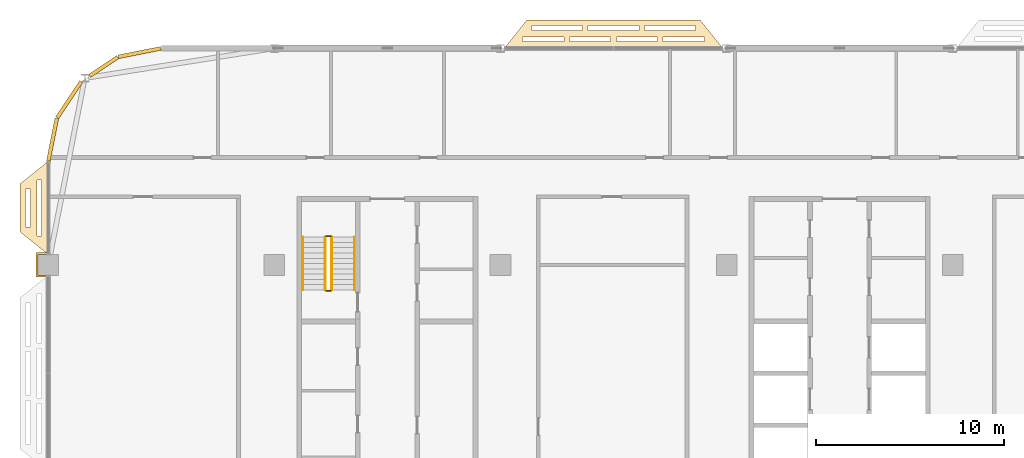
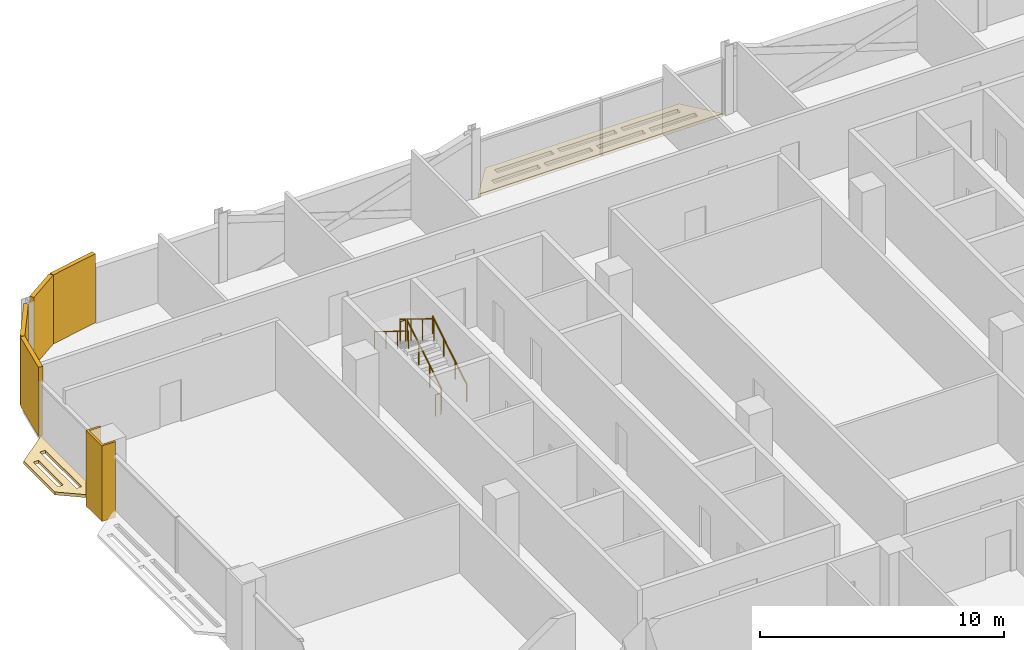
# One storey, part 26 of 29: 7 coverings, 6 railings.
"""IFC4 building model written with IfcOpenShell, lengths in metres."""

from ifc_helpers import new_model, si_unit, direction, frame, origin, origin_2d, place, context, subcontext, project, spatial, polyline, rectangle, circle, outline, extrude, material, layer, layer_set, type_object, element, save


model = new_model("IFC4")

# Units and contexts
model_context = context("Model", 3, precision=1e-05, world=origin(), true_north=direction((0.0, 1.0)))
body_context = subcontext(model_context, "Body", "Model", "MODEL_VIEW")
ifc_project = project(units=[si_unit("LENGTHUNIT", "METRE"), si_unit("AREAUNIT", "SQUARE_METRE"), si_unit("VOLUMEUNIT", "CUBIC_METRE"), si_unit("PLANEANGLEUNIT", "RADIAN"), si_unit("MASSUNIT", "GRAM", prefix="KILO")], contexts=[model_context])

# Site, building, storey
site_placement = place(None, origin())
site = spatial("IfcSite", under=ifc_project, at=site_placement, CompositionType="ELEMENT")
building_placement = place(site_placement, origin())
building = spatial("IfcBuilding", under=site, at=building_placement, Name="Mahtab Terrace Research Tower", CompositionType="ELEMENT")
storey_placement = place(building_placement, frame((0.0, 0.0, 197.699951171875)))
storey = spatial("IfcBuildingStorey", under=building, at=storey_placement, Name="L47", CompositionType="ELEMENT", Elevation=197.699951171875)

# Coverings
ifc_material_1 = material(Name="Black aluminium cladding panel", Category="aluminium")
ifc_layer_1 = layer(ifc_material_1, 0.199951171875)
ifc_layer_set_1 = layer_set([ifc_layer_1], Name="Black metal corner cladding 200")
covering_type_1 = type_object("IfcCoveringType", Name="Black metal corner cladding 200", PredefinedType="CLADDING", material=ifc_layer_set_1)
covering_1_placement = place(storey_placement, frame((-37.14794921875, 22.771484375, 0.0), z_axis=(0.0, 0.0, 1.0), x_axis=(-0.980760981187, -0.195212442692, 0.0)))
element("IfcCovering", 1, at=covering_1_placement, inside=storey, type_object=covering_type_1, Name="Corner cladding L47 11", PredefinedType="CLADDING", context=body_context, shape_type="SweptSolid", body=[
    extrude(rectangle(XDim=2.30126953125, YDim=0.199951171875, at=origin_2d()), origin(), (0.0, 0.0, 1.0), 3.4599609375),
])
covering_2_placement = place(storey_placement, frame((-39.059814453125, 22.032958984375, 0.0), z_axis=(0.0, 0.0, 1.0), x_axis=(-0.831655794326, -0.555291490808, 0.0)))
element("IfcCovering", 2, at=covering_2_placement, inside=storey, type_object=covering_type_1, Name="Corner cladding L47 12", PredefinedType="CLADDING", context=body_context, shape_type="SweptSolid", body=[
    extrude(rectangle(XDim=1.797119140625, YDim=0.199951171875, at=origin_2d()), origin(), (0.0, 0.0, 1.0), 3.4599609375),
])
for number, where, z_axis, x_axis, name in (
    (3, (-40.89306640625, 20.26953125, 0.0), (0.0, 0.0, 1.0), (-0.555291490808, -0.831655794326, 0.0), "Corner cladding L47 13"),
    (4, (-41.771484375, 18.14794921875, 0.0), (0.0, 0.0, 1.0), (-0.195212442692, -0.980760981187, 0.0), "Corner cladding L47 14"),
):
    element("IfcCovering", number, at=place(storey_placement, frame(where, z_axis=z_axis, x_axis=x_axis)), inside=storey, type_object=covering_type_1, Name=name, PredefinedType="CLADDING", context=body_context, shape_type="SweptSolid", body=[
        extrude(rectangle(XDim=2.30126953125, YDim=0.199951171875, at=origin_2d()), origin(), (0.0, 0.0, 1.0), 3.4599609375),
    ])
ifc_material_2 = material(Name="Dark anodised aluminium cladding", Category="aluminium")
ifc_layer_2 = layer(ifc_material_2, 0.10009765625)
ifc_layer_set_2 = layer_set([ifc_layer_2], Name="Column casing 100")
covering_type_2 = type_object("IfcCoveringType", Name="Column casing 100", PredefinedType="CLADDING", material=ifc_layer_set_2)
covering_3_placement = place(storey_placement, frame((0.0, 0.0, -0.33984375)))
element("IfcCovering", 5, at=covering_3_placement, inside=storey, type_object=covering_type_2, Name="Column casing RC-1C L47", PredefinedType="CLADDING", context=body_context, shape_type="SweptSolid", body=[
    extrude(outline(polyline([(-42.64990234375, 12.14990234375), (-42.0, 12.14990234375), (-42.0, 12.050048828125), (-42.550048828125, 12.050048828125), (-42.550048828125, 10.949951171875), (-42.0, 10.949951171875), (-42.0, 10.85009765625), (-42.64990234375, 10.85009765625), (-42.64990234375, 12.14990234375)])), origin(), (0.0, 0.0, 1.0), 3.7998046875),
])
ifc_material_3 = material(Name="Black anodised aluminium", Category="aluminium")
ifc_layer_3 = layer(ifc_material_3, 0.14990234375)
ifc_layer_set_3 = layer_set([ifc_layer_3], Name="Horizontal sunshade band")
covering_type_3 = type_object("IfcCoveringType", Name="Horizontal sunshade band", PredefinedType="CLADDING", material=ifc_layer_set_3)
covering_4_placement = place(storey_placement, frame((0.0, 0.0, -0.14990234375)))
element("IfcCovering", 6, at=covering_4_placement, inside=storey, type_object=covering_type_3, Name="Sunshade band L47 8", PredefinedType="CLADDING", context=body_context, shape_type="SweptSolid", body=[
    extrude(outline(polyline([(-6.199951171875, 23.0), (-17.800048828125, 23.0), (-16.60009765625, 24.5), (-7.39990234375, 24.5), (-6.199951171875, 23.0)]), holes=[polyline([(-7.179931640625, 23.35009765625), (-9.364990234375, 23.35009765625), (-9.364990234375, 23.60009765625), (-7.179931640625, 23.60009765625), (-7.179931640625, 23.35009765625)]), polyline([(-9.6650390625, 23.35009765625), (-11.85009765625, 23.35009765625), (-11.85009765625, 23.60009765625), (-9.6650390625, 23.60009765625), (-9.6650390625, 23.35009765625)]), polyline([(-12.14990234375, 23.35009765625), (-14.3349609375, 23.35009765625), (-14.3349609375, 23.60009765625), (-12.14990234375, 23.60009765625), (-12.14990234375, 23.35009765625)]), polyline([(-14.635009765625, 23.35009765625), (-16.820068359375, 23.35009765625), (-16.820068359375, 23.60009765625), (-14.635009765625, 23.60009765625), (-14.635009765625, 23.35009765625)]), polyline([(-7.659912109375, 23.949951171875), (-10.35302734375, 23.949951171875), (-10.35302734375, 24.199951171875), (-7.659912109375, 24.199951171875), (-7.659912109375, 23.949951171875)]), polyline([(-10.653076171875, 23.949951171875), (-13.346923828125, 23.949951171875), (-13.346923828125, 24.199951171875), (-10.653076171875, 24.199951171875), (-10.653076171875, 23.949951171875)]), polyline([(-13.64697265625, 23.949951171875), (-16.340087890625, 23.949951171875), (-16.340087890625, 24.199951171875), (-13.64697265625, 24.199951171875), (-13.64697265625, 23.949951171875)])]), origin(), (0.0, 0.0, 1.0), 0.14990234375),
])
covering_5_placement = place(storey_placement, frame((0.0, 0.0, -0.14990234375)))
element("IfcCovering", 7, at=covering_5_placement, inside=storey, type_object=covering_type_3, Name="Sunshade band L47 15", PredefinedType="CLADDING", context=body_context, shape_type="SweptSolid", body=[
    extrude(outline(polyline([(-42.0, 17.0), (-42.0, 12.050048828125), (-43.5, 13.25), (-43.5, 15.800048828125), (-42.0, 17.0)]), holes=[polyline([(-42.35009765625, 16.02001953125), (-42.35009765625, 13.030029296875), (-42.60009765625, 13.030029296875), (-42.60009765625, 16.02001953125), (-42.35009765625, 16.02001953125)]), polyline([(-42.949951171875, 15.5400390625), (-42.949951171875, 13.510009765625), (-43.199951171875, 13.510009765625), (-43.199951171875, 15.5400390625), (-42.949951171875, 15.5400390625)])]), origin(), (0.0, 0.0, 1.0), 0.14990234375),
])

# Railings
ifc_material_4 = material(Name="Stainless steel AISI 304", Category="steel")
railing_type_1 = type_object("IfcRailingType", Name="Stair guard 1100", PredefinedType="GUARDRAIL", material=ifc_material_4)
railing_1_placement = place(storey_placement, frame((-26.949951171875, 10.175048828125, 0.1728515625)))
element("IfcRailing", 8, at=railing_1_placement, inside=storey, type_object=railing_type_1, Name="L47 ST1 stair guard 1", PredefinedType="GUARDRAIL", context=body_context, shape_type="SweptSolid", body=[
    extrude(circle(Radius=0.02392578125, at=origin_2d()), frame((0.0, 0.0, 1.076171875), z_axis=(0.0, 0.851089632645, 0.525020415988), x_axis=(-1.0, 0.0, 0.0)), (0.0, 0.0, 1.0), 3.2900390625),
    extrude(circle(Radius=0.02099609375, at=origin_2d()), origin(), (0.0, 0.0, 1.0), 1.052001953125),
    extrude(circle(Radius=0.02099609375, at=origin_2d()), frame((0.0, 0.933349609375, 0.57568359375)), (0.0, 0.0, 1.0), 1.052001953125),
    extrude(circle(Radius=0.02099609375, at=origin_2d()), frame((0.0, 1.86669921875, 1.151611328125)), (0.0, 0.0, 1.0), 1.052001953125),
    extrude(circle(Radius=0.02099609375, at=origin_2d()), frame((0.0, 2.800048828125, 1.727294921875)), (0.0, 0.0, 1.0), 1.052001953125),
])
railing_2_placement = place(storey_placement, frame((-27.0, 13.02490234375, 1.900146484375)))
element("IfcRailing", 9, at=railing_2_placement, inside=storey, type_object=railing_type_1, Name="L47 ST1 stair guard 2", PredefinedType="GUARDRAIL", context=body_context, shape_type="SweptSolid", body=[
    extrude(circle(Radius=0.02392578125, at=origin_2d()), frame((0.0, 0.0, 1.076171875), z_axis=(-1.0, 0.0, 0.0), x_axis=(0.0, -1.0, 0.0)), (0.0, 0.0, 1.0), 0.25),
    extrude(circle(Radius=0.02099609375, at=origin_2d()), origin(), (0.0, 0.0, 1.0), 1.052001953125),
    extrude(circle(Radius=0.02099609375, at=origin_2d()), frame((-0.25, 0.0, 0.0)), (0.0, 0.0, 1.0), 1.052001953125),
])
railing_3_placement = place(storey_placement, frame((-27.300048828125, 12.97509765625, 2.07275390625)))
element("IfcRailing", 10, at=railing_3_placement, inside=storey, type_object=railing_type_1, Name="L47 ST1 stair guard 3", PredefinedType="GUARDRAIL", context=body_context, shape_type="SweptSolid", body=[
    extrude(circle(Radius=0.02392578125, at=origin_2d()), frame((0.0, 0.0, 1.076171875), z_axis=(0.0, -0.851089632645, 0.525020415988), x_axis=(1.0, 0.0, 0.0)), (0.0, 0.0, 1.0), 3.2900390625),
    extrude(circle(Radius=0.02099609375, at=origin_2d()), origin(), (0.0, 0.0, 1.0), 1.052001953125),
    extrude(circle(Radius=0.02099609375, at=origin_2d()), frame((0.0, -0.933349609375, 0.57568359375)), (0.0, 0.0, 1.0), 1.052001953125),
    extrude(circle(Radius=0.02099609375, at=origin_2d()), frame((0.0, -1.86669921875, 1.151611328125)), (0.0, 0.0, 1.0), 1.052001953125),
    extrude(circle(Radius=0.02099609375, at=origin_2d()), frame((0.0, -2.800048828125, 1.727294921875)), (0.0, 0.0, 1.0), 1.052001953125),
])
railing_4_placement = place(storey_placement, frame((-27.0, 10.125, 0.0)))
element("IfcRailing", 11, at=railing_4_placement, inside=storey, type_object=railing_type_1, Name="L47 ST1 stair guard 4", PredefinedType="GUARDRAIL", context=body_context, shape_type="SweptSolid", body=[
    extrude(circle(Radius=0.02392578125, at=origin_2d()), frame((0.0, 0.0, 1.076171875), z_axis=(-1.0, 0.0, 0.0), x_axis=(0.0, -1.0, 0.0)), (0.0, 0.0, 1.0), 0.25),
    extrude(circle(Radius=0.02099609375, at=origin_2d()), origin(), (0.0, 0.0, 1.0), 1.052001953125),
    extrude(circle(Radius=0.02099609375, at=origin_2d()), frame((-0.25, 0.0, 0.0)), (0.0, 0.0, 1.0), 1.052001953125),
])
railing_type_2 = type_object("IfcRailingType", Name="Stair handrail 900", PredefinedType="HANDRAIL", material=ifc_material_4)
railing_5_placement = place(storey_placement, frame((-25.75, 10.175048828125, 0.1728515625)))
element("IfcRailing", 12, at=railing_5_placement, inside=storey, type_object=railing_type_2, Name="L47 ST1 stair handrail 1", PredefinedType="HANDRAIL", context=body_context, shape_type="SweptSolid", body=[
    extrude(circle(Radius=0.02392578125, at=origin_2d()), frame((0.0, 0.0, 0.8759765625), z_axis=(0.0, 0.851089632645, 0.525020415988), x_axis=(-1.0, 0.0, 0.0)), (0.0, 0.0, 1.0), 3.2900390625),
    extrude(circle(Radius=0.02099609375, at=origin_2d()), origin(), (0.0, 0.0, 1.0), 0.851806640625),
    extrude(circle(Radius=0.02099609375, at=origin_2d()), frame((0.0, 0.933349609375, 0.57568359375)), (0.0, 0.0, 1.0), 0.851806640625),
    extrude(circle(Radius=0.02099609375, at=origin_2d()), frame((0.0, 1.86669921875, 1.151611328125)), (0.0, 0.0, 1.0), 0.851806640625),
    extrude(circle(Radius=0.02099609375, at=origin_2d()), frame((0.0, 2.800048828125, 1.727294921875)), (0.0, 0.0, 1.0), 0.851806640625),
])
railing_6_placement = place(storey_placement, frame((-28.5, 12.97509765625, 2.07275390625)))
element("IfcRailing", 13, at=railing_6_placement, inside=storey, type_object=railing_type_2, Name="L47 ST1 stair handrail 2", PredefinedType="HANDRAIL", context=body_context, shape_type="SweptSolid", body=[
    extrude(circle(Radius=0.02392578125, at=origin_2d()), frame((0.0, 0.0, 0.8759765625), z_axis=(0.0, -0.851089632645, 0.525020415988), x_axis=(1.0, 0.0, 0.0)), (0.0, 0.0, 1.0), 3.2900390625),
    extrude(circle(Radius=0.02099609375, at=origin_2d()), origin(), (0.0, 0.0, 1.0), 0.851806640625),
    extrude(circle(Radius=0.02099609375, at=origin_2d()), frame((0.0, -0.933349609375, 0.57568359375)), (0.0, 0.0, 1.0), 0.851806640625),
    extrude(circle(Radius=0.02099609375, at=origin_2d()), frame((0.0, -1.86669921875, 1.151611328125)), (0.0, 0.0, 1.0), 0.851806640625),
    extrude(circle(Radius=0.02099609375, at=origin_2d()), frame((0.0, -2.800048828125, 1.727294921875)), (0.0, 0.0, 1.0), 0.851806640625),
])

save(model, "model.ifc")
